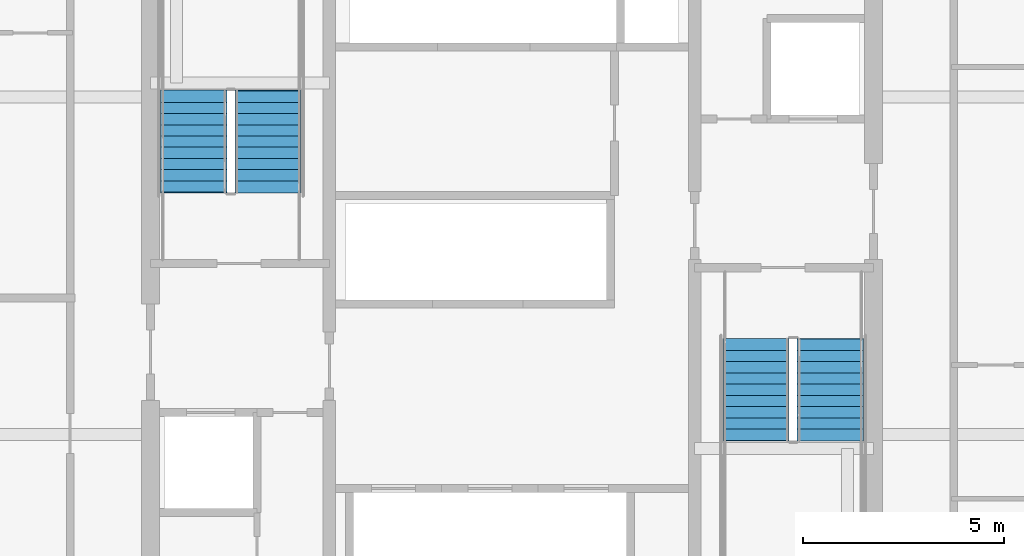
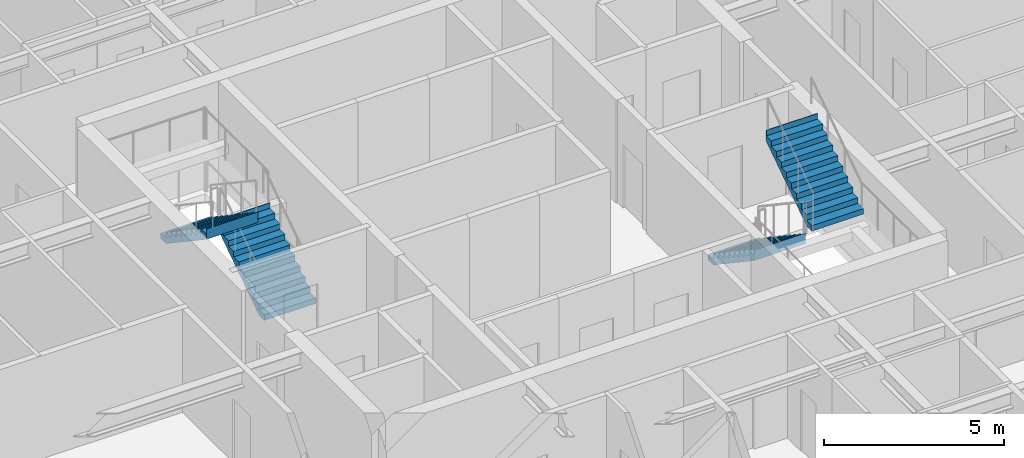
# One storey, part 30 of 36: 4 stair flights, 2 elements without a shape of their own.
"""IFC4 building model written with IfcOpenShell, lengths in metres."""

from ifc_helpers import new_model, si_unit, direction, frame, origin, place, context, subcontext, project, spatial, polygons, material, type_object, element, aggregate, save


model = new_model("IFC4")

# Units and contexts
model_context = context("Model", 3, precision=1e-05, world=origin(), true_north=direction((0.0, 1.0)))
body_context = subcontext(model_context, "Body", "Model", "MODEL_VIEW")
ifc_project = project(units=[si_unit("LENGTHUNIT", "METRE"), si_unit("AREAUNIT", "SQUARE_METRE"), si_unit("VOLUMEUNIT", "CUBIC_METRE"), si_unit("PLANEANGLEUNIT", "RADIAN"), si_unit("MASSUNIT", "GRAM", prefix="KILO")], contexts=[model_context])

# Site, building, storey
site_placement = place(None, origin())
site = spatial("IfcSite", under=ifc_project, at=site_placement, CompositionType="ELEMENT")
building_placement = place(site_placement, origin())
building = spatial("IfcBuilding", under=site, at=building_placement, Name="Serunith Strait Residences", CompositionType="ELEMENT")
storey_placement = place(building_placement, frame((0.0, 0.0, 86.699951171875)))
storey = spatial("IfcBuildingStorey", under=building, at=storey_placement, Name="L21", CompositionType="ELEMENT", Elevation=86.699951171875)

# Stair, stair flights
ifc_material = material(Name="Concrete C50/60", Category="concrete")
stair_type_1 = type_object("IfcStairType", Name="STR-CORE-1", PredefinedType="HALF_TURN_STAIR", material=ifc_material)
stair_1_placement = place(storey_placement, origin())
stair_1 = element("IfcStair", 1, at=stair_1_placement, inside=storey, type_object=stair_type_1, Name="L21 Protected Escape Stair ST-1", PredefinedType="HALF_TURN_STAIR")
stair_flight_type_1 = type_object("IfcStairFlightType", Name="FLT-CORE-1", PredefinedType="STRAIGHT", material=ifc_material)
stair_flight_1_placement = place(storey_placement, frame((26.324951171875, 27.030029296875, 0.0), z_axis=(0.0, 0.0, 1.0), x_axis=(0.0, 1.0, 0.0)))
stair_flight_1 = element("IfcStairFlight", 2, at=stair_flight_1_placement, type_object=stair_flight_type_1, Name="ST-1 flight 1", NumberOfRisers=10, NumberOfTreads=9, PredefinedType="STRAIGHT", RiserHeight=0.1875, TreadLength=0.28, context=body_context, shape_type="Tessellation", body=[
    polygons([(-0.02001953125, -0.824951171875, 0.0), (-0.02001953125, -0.824951171875, 0.1875), (0.280029296875, -0.824951171875, 0.1875), (0.280029296875, -0.824951171875, 0.375), (0.56005859375, -0.824951171875, 0.375), (0.56005859375, -0.824951171875, 0.5625), (0.840087890625, -0.824951171875, 0.5625), (0.840087890625, -0.824951171875, 0.75), (1.1201171875, -0.824951171875, 0.75), (1.1201171875, -0.824951171875, 0.9375), (1.39990234375, -0.824951171875, 0.9375), (1.39990234375, -0.824951171875, 1.125), (1.679931640625, -0.824951171875, 1.125), (1.679931640625, -0.824951171875, 1.3125), (1.9599609375, -0.824951171875, 1.3125), (1.9599609375, -0.824951171875, 1.5), (2.239990234375, -0.824951171875, 1.5), (2.239990234375, -0.824951171875, 1.6875), (2.52001953125, -0.824951171875, 1.6875), (2.52001953125, -0.824951171875, 1.875), (2.5400390625, -0.824951171875, 1.875), (2.5400390625, -0.824951171875, 1.81494140625), (2.52001953125, -0.824951171875, 1.507080078125), (0.26953125, -0.824951171875, 0.0), (-0.02001953125, -0.41259765625, 0.0), (-0.02001953125, -0.41259765625, 0.1875), (0.280029296875, -0.41259765625, 0.1875), (0.280029296875, -0.41259765625, 0.375), (0.56005859375, -0.41259765625, 0.375), (0.56005859375, -0.41259765625, 0.5625), (0.840087890625, -0.41259765625, 0.5625), (0.840087890625, -0.41259765625, 0.75), (1.1201171875, -0.41259765625, 0.75), (1.1201171875, -0.41259765625, 0.9375), (1.39990234375, -0.41259765625, 0.9375), (1.39990234375, -0.41259765625, 1.125), (1.679931640625, -0.41259765625, 1.125), (1.679931640625, -0.41259765625, 1.3125), (1.9599609375, -0.41259765625, 1.3125), (1.9599609375, -0.41259765625, 1.5), (2.239990234375, -0.41259765625, 1.5), (2.239990234375, -0.41259765625, 1.6875), (2.52001953125, -0.41259765625, 1.6875), (2.52001953125, -0.41259765625, 1.875), (2.5400390625, -0.41259765625, 1.875), (2.5400390625, -0.41259765625, 1.81494140625), (2.52001953125, -0.41259765625, 1.507080078125), (0.26953125, -0.41259765625, 0.0), (-0.02001953125, 0.0, 0.0), (-0.02001953125, 0.0, 0.1875), (0.280029296875, 0.0, 0.1875), (0.280029296875, 0.0, 0.375), (0.56005859375, 0.0, 0.375), (0.56005859375, 0.0, 0.5625), (0.840087890625, 0.0, 0.5625), (0.840087890625, 0.0, 0.75), (1.1201171875, 0.0, 0.75), (1.1201171875, 0.0, 0.9375), (1.39990234375, 0.0, 0.9375), (1.39990234375, 0.0, 1.125), (1.679931640625, 0.0, 1.125), (1.679931640625, 0.0, 1.3125), (1.9599609375, 0.0, 1.3125), (1.9599609375, 0.0, 1.5), (2.239990234375, 0.0, 1.5), (2.239990234375, 0.0, 1.6875), (2.52001953125, 0.0, 1.6875), (2.52001953125, 0.0, 1.875), (2.5400390625, 0.0, 1.875), (2.5400390625, 0.0, 1.81494140625), (2.52001953125, 0.0, 1.507080078125), (0.26953125, 0.0, 0.0), (-0.02001953125, 0.41259765625, 0.0), (-0.02001953125, 0.41259765625, 0.1875), (0.280029296875, 0.41259765625, 0.1875), (0.280029296875, 0.41259765625, 0.375), (0.56005859375, 0.41259765625, 0.375), (0.56005859375, 0.41259765625, 0.5625), (0.840087890625, 0.41259765625, 0.5625), (0.840087890625, 0.41259765625, 0.75), (1.1201171875, 0.41259765625, 0.75), (1.1201171875, 0.41259765625, 0.9375), (1.39990234375, 0.41259765625, 0.9375), (1.39990234375, 0.41259765625, 1.125), (1.679931640625, 0.41259765625, 1.125), (1.679931640625, 0.41259765625, 1.3125), (1.9599609375, 0.41259765625, 1.3125), (1.9599609375, 0.41259765625, 1.5), (2.239990234375, 0.41259765625, 1.5), (2.239990234375, 0.41259765625, 1.6875), (2.52001953125, 0.41259765625, 1.6875), (2.52001953125, 0.41259765625, 1.875), (2.5400390625, 0.41259765625, 1.875), (2.5400390625, 0.41259765625, 1.81494140625), (2.52001953125, 0.41259765625, 1.507080078125), (0.26953125, 0.41259765625, 0.0), (-0.02001953125, 0.824951171875, 0.0), (-0.02001953125, 0.824951171875, 0.1875), (0.280029296875, 0.824951171875, 0.1875), (0.280029296875, 0.824951171875, 0.375), (0.56005859375, 0.824951171875, 0.375), (0.56005859375, 0.824951171875, 0.5625), (0.840087890625, 0.824951171875, 0.5625), (0.840087890625, 0.824951171875, 0.75), (1.1201171875, 0.824951171875, 0.75), (1.1201171875, 0.824951171875, 0.9375), (1.39990234375, 0.824951171875, 0.9375), (1.39990234375, 0.824951171875, 1.125), (1.679931640625, 0.824951171875, 1.125), (1.679931640625, 0.824951171875, 1.3125), (1.9599609375, 0.824951171875, 1.3125), (1.9599609375, 0.824951171875, 1.5), (2.239990234375, 0.824951171875, 1.5), (2.239990234375, 0.824951171875, 1.6875), (2.52001953125, 0.824951171875, 1.6875), (2.52001953125, 0.824951171875, 1.875), (2.5400390625, 0.824951171875, 1.875), (2.5400390625, 0.824951171875, 1.81494140625), (2.52001953125, 0.824951171875, 1.507080078125), (0.26953125, 0.824951171875, 0.0)], [[[1, 2, 26, 25]], [[2, 3, 27, 26]], [[3, 4, 28, 27]], [[4, 5, 29, 28]], [[5, 6, 30, 29]], [[6, 7, 31, 30]], [[7, 8, 32, 31]], [[8, 9, 33, 32]], [[9, 10, 34, 33]], [[10, 11, 35, 34]], [[11, 12, 36, 35]], [[12, 13, 37, 36]], [[13, 14, 38, 37]], [[14, 15, 39, 38]], [[15, 16, 40, 39]], [[16, 17, 41, 40]], [[17, 18, 42, 41]], [[18, 19, 43, 42]], [[19, 20, 44, 43]], [[20, 21, 45, 44]], [[21, 22, 46, 45]], [[22, 23, 47, 46]], [[23, 24, 48, 47]], [[24, 1, 25, 48]], [[25, 26, 50, 49]], [[26, 27, 51, 50]], [[27, 28, 52, 51]], [[28, 29, 53, 52]], [[29, 30, 54, 53]], [[30, 31, 55, 54]], [[31, 32, 56, 55]], [[32, 33, 57, 56]], [[33, 34, 58, 57]], [[34, 35, 59, 58]], [[35, 36, 60, 59]], [[36, 37, 61, 60]], [[37, 38, 62, 61]], [[38, 39, 63, 62]], [[39, 40, 64, 63]], [[40, 41, 65, 64]], [[41, 42, 66, 65]], [[42, 43, 67, 66]], [[43, 44, 68, 67]], [[44, 45, 69, 68]], [[45, 46, 70, 69]], [[46, 47, 71, 70]], [[47, 48, 72, 71]], [[48, 25, 49, 72]], [[49, 50, 74, 73]], [[50, 51, 75, 74]], [[51, 52, 76, 75]], [[52, 53, 77, 76]], [[53, 54, 78, 77]], [[54, 55, 79, 78]], [[55, 56, 80, 79]], [[56, 57, 81, 80]], [[57, 58, 82, 81]], [[58, 59, 83, 82]], [[59, 60, 84, 83]], [[60, 61, 85, 84]], [[61, 62, 86, 85]], [[62, 63, 87, 86]], [[63, 64, 88, 87]], [[64, 65, 89, 88]], [[65, 66, 90, 89]], [[66, 67, 91, 90]], [[67, 68, 92, 91]], [[68, 69, 93, 92]], [[69, 70, 94, 93]], [[70, 71, 95, 94]], [[71, 72, 96, 95]], [[72, 49, 73, 96]], [[73, 74, 98, 97]], [[74, 75, 99, 98]], [[75, 76, 100, 99]], [[76, 77, 101, 100]], [[77, 78, 102, 101]], [[78, 79, 103, 102]], [[79, 80, 104, 103]], [[80, 81, 105, 104]], [[81, 82, 106, 105]], [[82, 83, 107, 106]], [[83, 84, 108, 107]], [[84, 85, 109, 108]], [[85, 86, 110, 109]], [[86, 87, 111, 110]], [[87, 88, 112, 111]], [[88, 89, 113, 112]], [[89, 90, 114, 113]], [[90, 91, 115, 114]], [[91, 92, 116, 115]], [[92, 93, 117, 116]], [[93, 94, 118, 117]], [[94, 95, 119, 118]], [[95, 96, 120, 119]], [[96, 73, 97, 120]], [[24, 23, 22, 21, 20, 19, 18, 17, 16, 15, 14, 13, 12, 11, 10, 9, 8, 7, 6, 5, 4, 3, 2, 1]], [[97, 98, 99, 100, 101, 102, 103, 104, 105, 106, 107, 108, 109, 110, 111, 112, 113, 114, 115, 116, 117, 118, 119, 120]]], closed=True),
])
stair_flight_2_placement = place(storey_placement, frame((24.47509765625, 29.550048828125, 1.875), z_axis=(0.0, 0.0, 1.0), x_axis=(0.0, -1.0, 0.0)))
stair_flight_2 = element("IfcStairFlight", 3, at=stair_flight_2_placement, type_object=stair_flight_type_1, Name="ST-1 flight 2", NumberOfRisers=10, NumberOfTreads=9, PredefinedType="STRAIGHT", RiserHeight=0.1875, TreadLength=0.28, context=body_context, shape_type="Tessellation", body=[
    polygons([(-0.02001953125, -0.824951171875, 0.0), (-0.02001953125, -0.824951171875, 0.1875), (0.280029296875, -0.824951171875, 0.1875), (0.280029296875, -0.824951171875, 0.375), (0.56005859375, -0.824951171875, 0.375), (0.56005859375, -0.824951171875, 0.5625), (0.840087890625, -0.824951171875, 0.5625), (0.840087890625, -0.824951171875, 0.75), (1.1201171875, -0.824951171875, 0.75), (1.1201171875, -0.824951171875, 0.9375), (1.39990234375, -0.824951171875, 0.9375), (1.39990234375, -0.824951171875, 1.125), (1.679931640625, -0.824951171875, 1.125), (1.679931640625, -0.824951171875, 1.3125), (1.9599609375, -0.824951171875, 1.3125), (1.9599609375, -0.824951171875, 1.5), (2.239990234375, -0.824951171875, 1.5), (2.239990234375, -0.824951171875, 1.6875), (2.52001953125, -0.824951171875, 1.6875), (2.52001953125, -0.824951171875, 1.875), (2.5400390625, -0.824951171875, 1.875), (2.5400390625, -0.824951171875, 1.81494140625), (2.52001953125, -0.824951171875, 1.507080078125), (0.26953125, -0.824951171875, 0.0), (-0.02001953125, -0.41259765625, 0.0), (-0.02001953125, -0.41259765625, 0.1875), (0.280029296875, -0.41259765625, 0.1875), (0.280029296875, -0.41259765625, 0.375), (0.56005859375, -0.41259765625, 0.375), (0.56005859375, -0.41259765625, 0.5625), (0.840087890625, -0.41259765625, 0.5625), (0.840087890625, -0.41259765625, 0.75), (1.1201171875, -0.41259765625, 0.75), (1.1201171875, -0.41259765625, 0.9375), (1.39990234375, -0.41259765625, 0.9375), (1.39990234375, -0.41259765625, 1.125), (1.679931640625, -0.41259765625, 1.125), (1.679931640625, -0.41259765625, 1.3125), (1.9599609375, -0.41259765625, 1.3125), (1.9599609375, -0.41259765625, 1.5), (2.239990234375, -0.41259765625, 1.5), (2.239990234375, -0.41259765625, 1.6875), (2.52001953125, -0.41259765625, 1.6875), (2.52001953125, -0.41259765625, 1.875), (2.5400390625, -0.41259765625, 1.875), (2.5400390625, -0.41259765625, 1.81494140625), (2.52001953125, -0.41259765625, 1.507080078125), (0.26953125, -0.41259765625, 0.0), (-0.02001953125, 0.0, 0.0), (-0.02001953125, 0.0, 0.1875), (0.280029296875, 0.0, 0.1875), (0.280029296875, 0.0, 0.375), (0.56005859375, 0.0, 0.375), (0.56005859375, 0.0, 0.5625), (0.840087890625, 0.0, 0.5625), (0.840087890625, 0.0, 0.75), (1.1201171875, 0.0, 0.75), (1.1201171875, 0.0, 0.9375), (1.39990234375, 0.0, 0.9375), (1.39990234375, 0.0, 1.125), (1.679931640625, 0.0, 1.125), (1.679931640625, 0.0, 1.3125), (1.9599609375, 0.0, 1.3125), (1.9599609375, 0.0, 1.5), (2.239990234375, 0.0, 1.5), (2.239990234375, 0.0, 1.6875), (2.52001953125, 0.0, 1.6875), (2.52001953125, 0.0, 1.875), (2.5400390625, 0.0, 1.875), (2.5400390625, 0.0, 1.81494140625), (2.52001953125, 0.0, 1.507080078125), (0.26953125, 0.0, 0.0), (-0.02001953125, 0.41259765625, 0.0), (-0.02001953125, 0.41259765625, 0.1875), (0.280029296875, 0.41259765625, 0.1875), (0.280029296875, 0.41259765625, 0.375), (0.56005859375, 0.41259765625, 0.375), (0.56005859375, 0.41259765625, 0.5625), (0.840087890625, 0.41259765625, 0.5625), (0.840087890625, 0.41259765625, 0.75), (1.1201171875, 0.41259765625, 0.75), (1.1201171875, 0.41259765625, 0.9375), (1.39990234375, 0.41259765625, 0.9375), (1.39990234375, 0.41259765625, 1.125), (1.679931640625, 0.41259765625, 1.125), (1.679931640625, 0.41259765625, 1.3125), (1.9599609375, 0.41259765625, 1.3125), (1.9599609375, 0.41259765625, 1.5), (2.239990234375, 0.41259765625, 1.5), (2.239990234375, 0.41259765625, 1.6875), (2.52001953125, 0.41259765625, 1.6875), (2.52001953125, 0.41259765625, 1.875), (2.5400390625, 0.41259765625, 1.875), (2.5400390625, 0.41259765625, 1.81494140625), (2.52001953125, 0.41259765625, 1.507080078125), (0.26953125, 0.41259765625, 0.0), (-0.02001953125, 0.824951171875, 0.0), (-0.02001953125, 0.824951171875, 0.1875), (0.280029296875, 0.824951171875, 0.1875), (0.280029296875, 0.824951171875, 0.375), (0.56005859375, 0.824951171875, 0.375), (0.56005859375, 0.824951171875, 0.5625), (0.840087890625, 0.824951171875, 0.5625), (0.840087890625, 0.824951171875, 0.75), (1.1201171875, 0.824951171875, 0.75), (1.1201171875, 0.824951171875, 0.9375), (1.39990234375, 0.824951171875, 0.9375), (1.39990234375, 0.824951171875, 1.125), (1.679931640625, 0.824951171875, 1.125), (1.679931640625, 0.824951171875, 1.3125), (1.9599609375, 0.824951171875, 1.3125), (1.9599609375, 0.824951171875, 1.5), (2.239990234375, 0.824951171875, 1.5), (2.239990234375, 0.824951171875, 1.6875), (2.52001953125, 0.824951171875, 1.6875), (2.52001953125, 0.824951171875, 1.875), (2.5400390625, 0.824951171875, 1.875), (2.5400390625, 0.824951171875, 1.81494140625), (2.52001953125, 0.824951171875, 1.507080078125), (0.26953125, 0.824951171875, 0.0)], [[[1, 2, 26, 25]], [[2, 3, 27, 26]], [[3, 4, 28, 27]], [[4, 5, 29, 28]], [[5, 6, 30, 29]], [[6, 7, 31, 30]], [[7, 8, 32, 31]], [[8, 9, 33, 32]], [[9, 10, 34, 33]], [[10, 11, 35, 34]], [[11, 12, 36, 35]], [[12, 13, 37, 36]], [[13, 14, 38, 37]], [[14, 15, 39, 38]], [[15, 16, 40, 39]], [[16, 17, 41, 40]], [[17, 18, 42, 41]], [[18, 19, 43, 42]], [[19, 20, 44, 43]], [[20, 21, 45, 44]], [[21, 22, 46, 45]], [[22, 23, 47, 46]], [[23, 24, 48, 47]], [[24, 1, 25, 48]], [[25, 26, 50, 49]], [[26, 27, 51, 50]], [[27, 28, 52, 51]], [[28, 29, 53, 52]], [[29, 30, 54, 53]], [[30, 31, 55, 54]], [[31, 32, 56, 55]], [[32, 33, 57, 56]], [[33, 34, 58, 57]], [[34, 35, 59, 58]], [[35, 36, 60, 59]], [[36, 37, 61, 60]], [[37, 38, 62, 61]], [[38, 39, 63, 62]], [[39, 40, 64, 63]], [[40, 41, 65, 64]], [[41, 42, 66, 65]], [[42, 43, 67, 66]], [[43, 44, 68, 67]], [[44, 45, 69, 68]], [[45, 46, 70, 69]], [[46, 47, 71, 70]], [[47, 48, 72, 71]], [[48, 25, 49, 72]], [[49, 50, 74, 73]], [[50, 51, 75, 74]], [[51, 52, 76, 75]], [[52, 53, 77, 76]], [[53, 54, 78, 77]], [[54, 55, 79, 78]], [[55, 56, 80, 79]], [[56, 57, 81, 80]], [[57, 58, 82, 81]], [[58, 59, 83, 82]], [[59, 60, 84, 83]], [[60, 61, 85, 84]], [[61, 62, 86, 85]], [[62, 63, 87, 86]], [[63, 64, 88, 87]], [[64, 65, 89, 88]], [[65, 66, 90, 89]], [[66, 67, 91, 90]], [[67, 68, 92, 91]], [[68, 69, 93, 92]], [[69, 70, 94, 93]], [[70, 71, 95, 94]], [[71, 72, 96, 95]], [[72, 49, 73, 96]], [[73, 74, 98, 97]], [[74, 75, 99, 98]], [[75, 76, 100, 99]], [[76, 77, 101, 100]], [[77, 78, 102, 101]], [[78, 79, 103, 102]], [[79, 80, 104, 103]], [[80, 81, 105, 104]], [[81, 82, 106, 105]], [[82, 83, 107, 106]], [[83, 84, 108, 107]], [[84, 85, 109, 108]], [[85, 86, 110, 109]], [[86, 87, 111, 110]], [[87, 88, 112, 111]], [[88, 89, 113, 112]], [[89, 90, 114, 113]], [[90, 91, 115, 114]], [[91, 92, 116, 115]], [[92, 93, 117, 116]], [[93, 94, 118, 117]], [[94, 95, 119, 118]], [[95, 96, 120, 119]], [[96, 73, 97, 120]], [[24, 23, 22, 21, 20, 19, 18, 17, 16, 15, 14, 13, 12, 11, 10, 9, 8, 7, 6, 5, 4, 3, 2, 1]], [[97, 98, 99, 100, 101, 102, 103, 104, 105, 106, 107, 108, 109, 110, 111, 112, 113, 114, 115, 116, 117, 118, 119, 120]]], closed=True),
])
aggregate(stair_1, [stair_flight_1, stair_flight_2])

stair_type_2 = type_object("IfcStairType", Name="STR-CORE-2", PredefinedType="HALF_TURN_STAIR", material=ifc_material)
stair_2_placement = place(storey_placement, origin())
stair_2 = element("IfcStair", 4, at=stair_2_placement, inside=storey, type_object=stair_type_2, Name="L21 Protected Escape Stair ST-2", PredefinedType="HALF_TURN_STAIR")
stair_flight_type_2 = type_object("IfcStairFlightType", Name="FLT-CORE-2", PredefinedType="STRAIGHT", material=ifc_material)
stair_flight_3_placement = place(storey_placement, frame((38.47509765625, 23.3701171875, 0.0), z_axis=(0.0, 0.0, 1.0), x_axis=(0.0, -1.0, 0.0)))
stair_flight_3 = element("IfcStairFlight", 5, at=stair_flight_3_placement, type_object=stair_flight_type_2, Name="ST-2 flight 1", NumberOfRisers=10, NumberOfTreads=9, PredefinedType="STRAIGHT", RiserHeight=0.1875, TreadLength=0.28, context=body_context, shape_type="Tessellation", body=[
    polygons([(-0.02001953125, -0.824951171875, 0.0), (-0.02001953125, -0.824951171875, 0.1875), (0.280029296875, -0.824951171875, 0.1875), (0.280029296875, -0.824951171875, 0.375), (0.56005859375, -0.824951171875, 0.375), (0.56005859375, -0.824951171875, 0.5625), (0.840087890625, -0.824951171875, 0.5625), (0.840087890625, -0.824951171875, 0.75), (1.1201171875, -0.824951171875, 0.75), (1.1201171875, -0.824951171875, 0.9375), (1.39990234375, -0.824951171875, 0.9375), (1.39990234375, -0.824951171875, 1.125), (1.679931640625, -0.824951171875, 1.125), (1.679931640625, -0.824951171875, 1.3125), (1.9599609375, -0.824951171875, 1.3125), (1.9599609375, -0.824951171875, 1.5), (2.239990234375, -0.824951171875, 1.5), (2.239990234375, -0.824951171875, 1.6875), (2.52001953125, -0.824951171875, 1.6875), (2.52001953125, -0.824951171875, 1.875), (2.5400390625, -0.824951171875, 1.875), (2.5400390625, -0.824951171875, 1.81494140625), (2.52001953125, -0.824951171875, 1.507080078125), (0.26953125, -0.824951171875, 0.0), (-0.02001953125, -0.41259765625, 0.0), (-0.02001953125, -0.41259765625, 0.1875), (0.280029296875, -0.41259765625, 0.1875), (0.280029296875, -0.41259765625, 0.375), (0.56005859375, -0.41259765625, 0.375), (0.56005859375, -0.41259765625, 0.5625), (0.840087890625, -0.41259765625, 0.5625), (0.840087890625, -0.41259765625, 0.75), (1.1201171875, -0.41259765625, 0.75), (1.1201171875, -0.41259765625, 0.9375), (1.39990234375, -0.41259765625, 0.9375), (1.39990234375, -0.41259765625, 1.125), (1.679931640625, -0.41259765625, 1.125), (1.679931640625, -0.41259765625, 1.3125), (1.9599609375, -0.41259765625, 1.3125), (1.9599609375, -0.41259765625, 1.5), (2.239990234375, -0.41259765625, 1.5), (2.239990234375, -0.41259765625, 1.6875), (2.52001953125, -0.41259765625, 1.6875), (2.52001953125, -0.41259765625, 1.875), (2.5400390625, -0.41259765625, 1.875), (2.5400390625, -0.41259765625, 1.81494140625), (2.52001953125, -0.41259765625, 1.507080078125), (0.26953125, -0.41259765625, 0.0), (-0.02001953125, 0.0, 0.0), (-0.02001953125, 0.0, 0.1875), (0.280029296875, 0.0, 0.1875), (0.280029296875, 0.0, 0.375), (0.56005859375, 0.0, 0.375), (0.56005859375, 0.0, 0.5625), (0.840087890625, 0.0, 0.5625), (0.840087890625, 0.0, 0.75), (1.1201171875, 0.0, 0.75), (1.1201171875, 0.0, 0.9375), (1.39990234375, 0.0, 0.9375), (1.39990234375, 0.0, 1.125), (1.679931640625, 0.0, 1.125), (1.679931640625, 0.0, 1.3125), (1.9599609375, 0.0, 1.3125), (1.9599609375, 0.0, 1.5), (2.239990234375, 0.0, 1.5), (2.239990234375, 0.0, 1.6875), (2.52001953125, 0.0, 1.6875), (2.52001953125, 0.0, 1.875), (2.5400390625, 0.0, 1.875), (2.5400390625, 0.0, 1.81494140625), (2.52001953125, 0.0, 1.507080078125), (0.26953125, 0.0, 0.0), (-0.02001953125, 0.41259765625, 0.0), (-0.02001953125, 0.41259765625, 0.1875), (0.280029296875, 0.41259765625, 0.1875), (0.280029296875, 0.41259765625, 0.375), (0.56005859375, 0.41259765625, 0.375), (0.56005859375, 0.41259765625, 0.5625), (0.840087890625, 0.41259765625, 0.5625), (0.840087890625, 0.41259765625, 0.75), (1.1201171875, 0.41259765625, 0.75), (1.1201171875, 0.41259765625, 0.9375), (1.39990234375, 0.41259765625, 0.9375), (1.39990234375, 0.41259765625, 1.125), (1.679931640625, 0.41259765625, 1.125), (1.679931640625, 0.41259765625, 1.3125), (1.9599609375, 0.41259765625, 1.3125), (1.9599609375, 0.41259765625, 1.5), (2.239990234375, 0.41259765625, 1.5), (2.239990234375, 0.41259765625, 1.6875), (2.52001953125, 0.41259765625, 1.6875), (2.52001953125, 0.41259765625, 1.875), (2.5400390625, 0.41259765625, 1.875), (2.5400390625, 0.41259765625, 1.81494140625), (2.52001953125, 0.41259765625, 1.507080078125), (0.26953125, 0.41259765625, 0.0), (-0.02001953125, 0.824951171875, 0.0), (-0.02001953125, 0.824951171875, 0.1875), (0.280029296875, 0.824951171875, 0.1875), (0.280029296875, 0.824951171875, 0.375), (0.56005859375, 0.824951171875, 0.375), (0.56005859375, 0.824951171875, 0.5625), (0.840087890625, 0.824951171875, 0.5625), (0.840087890625, 0.824951171875, 0.75), (1.1201171875, 0.824951171875, 0.75), (1.1201171875, 0.824951171875, 0.9375), (1.39990234375, 0.824951171875, 0.9375), (1.39990234375, 0.824951171875, 1.125), (1.679931640625, 0.824951171875, 1.125), (1.679931640625, 0.824951171875, 1.3125), (1.9599609375, 0.824951171875, 1.3125), (1.9599609375, 0.824951171875, 1.5), (2.239990234375, 0.824951171875, 1.5), (2.239990234375, 0.824951171875, 1.6875), (2.52001953125, 0.824951171875, 1.6875), (2.52001953125, 0.824951171875, 1.875), (2.5400390625, 0.824951171875, 1.875), (2.5400390625, 0.824951171875, 1.81494140625), (2.52001953125, 0.824951171875, 1.507080078125), (0.26953125, 0.824951171875, 0.0)], [[[1, 2, 26, 25]], [[2, 3, 27, 26]], [[3, 4, 28, 27]], [[4, 5, 29, 28]], [[5, 6, 30, 29]], [[6, 7, 31, 30]], [[7, 8, 32, 31]], [[8, 9, 33, 32]], [[9, 10, 34, 33]], [[10, 11, 35, 34]], [[11, 12, 36, 35]], [[12, 13, 37, 36]], [[13, 14, 38, 37]], [[14, 15, 39, 38]], [[15, 16, 40, 39]], [[16, 17, 41, 40]], [[17, 18, 42, 41]], [[18, 19, 43, 42]], [[19, 20, 44, 43]], [[20, 21, 45, 44]], [[21, 22, 46, 45]], [[22, 23, 47, 46]], [[23, 24, 48, 47]], [[24, 1, 25, 48]], [[25, 26, 50, 49]], [[26, 27, 51, 50]], [[27, 28, 52, 51]], [[28, 29, 53, 52]], [[29, 30, 54, 53]], [[30, 31, 55, 54]], [[31, 32, 56, 55]], [[32, 33, 57, 56]], [[33, 34, 58, 57]], [[34, 35, 59, 58]], [[35, 36, 60, 59]], [[36, 37, 61, 60]], [[37, 38, 62, 61]], [[38, 39, 63, 62]], [[39, 40, 64, 63]], [[40, 41, 65, 64]], [[41, 42, 66, 65]], [[42, 43, 67, 66]], [[43, 44, 68, 67]], [[44, 45, 69, 68]], [[45, 46, 70, 69]], [[46, 47, 71, 70]], [[47, 48, 72, 71]], [[48, 25, 49, 72]], [[49, 50, 74, 73]], [[50, 51, 75, 74]], [[51, 52, 76, 75]], [[52, 53, 77, 76]], [[53, 54, 78, 77]], [[54, 55, 79, 78]], [[55, 56, 80, 79]], [[56, 57, 81, 80]], [[57, 58, 82, 81]], [[58, 59, 83, 82]], [[59, 60, 84, 83]], [[60, 61, 85, 84]], [[61, 62, 86, 85]], [[62, 63, 87, 86]], [[63, 64, 88, 87]], [[64, 65, 89, 88]], [[65, 66, 90, 89]], [[66, 67, 91, 90]], [[67, 68, 92, 91]], [[68, 69, 93, 92]], [[69, 70, 94, 93]], [[70, 71, 95, 94]], [[71, 72, 96, 95]], [[72, 49, 73, 96]], [[73, 74, 98, 97]], [[74, 75, 99, 98]], [[75, 76, 100, 99]], [[76, 77, 101, 100]], [[77, 78, 102, 101]], [[78, 79, 103, 102]], [[79, 80, 104, 103]], [[80, 81, 105, 104]], [[81, 82, 106, 105]], [[82, 83, 107, 106]], [[83, 84, 108, 107]], [[84, 85, 109, 108]], [[85, 86, 110, 109]], [[86, 87, 111, 110]], [[87, 88, 112, 111]], [[88, 89, 113, 112]], [[89, 90, 114, 113]], [[90, 91, 115, 114]], [[91, 92, 116, 115]], [[92, 93, 117, 116]], [[93, 94, 118, 117]], [[94, 95, 119, 118]], [[95, 96, 120, 119]], [[96, 73, 97, 120]], [[24, 23, 22, 21, 20, 19, 18, 17, 16, 15, 14, 13, 12, 11, 10, 9, 8, 7, 6, 5, 4, 3, 2, 1]], [[97, 98, 99, 100, 101, 102, 103, 104, 105, 106, 107, 108, 109, 110, 111, 112, 113, 114, 115, 116, 117, 118, 119, 120]]], closed=True),
])
stair_flight_4_placement = place(storey_placement, frame((40.324951171875, 20.85009765625, 1.875), z_axis=(0.0, 0.0, 1.0), x_axis=(0.0, 1.0, 0.0)))
stair_flight_4 = element("IfcStairFlight", 6, at=stair_flight_4_placement, type_object=stair_flight_type_2, Name="ST-2 flight 2", NumberOfRisers=10, NumberOfTreads=9, PredefinedType="STRAIGHT", RiserHeight=0.1875, TreadLength=0.28, context=body_context, shape_type="Tessellation", body=[
    polygons([(-0.02001953125, -0.824951171875, 0.0), (-0.02001953125, -0.824951171875, 0.1875), (0.280029296875, -0.824951171875, 0.1875), (0.280029296875, -0.824951171875, 0.375), (0.56005859375, -0.824951171875, 0.375), (0.56005859375, -0.824951171875, 0.5625), (0.840087890625, -0.824951171875, 0.5625), (0.840087890625, -0.824951171875, 0.75), (1.1201171875, -0.824951171875, 0.75), (1.1201171875, -0.824951171875, 0.9375), (1.39990234375, -0.824951171875, 0.9375), (1.39990234375, -0.824951171875, 1.125), (1.679931640625, -0.824951171875, 1.125), (1.679931640625, -0.824951171875, 1.3125), (1.9599609375, -0.824951171875, 1.3125), (1.9599609375, -0.824951171875, 1.5), (2.239990234375, -0.824951171875, 1.5), (2.239990234375, -0.824951171875, 1.6875), (2.52001953125, -0.824951171875, 1.6875), (2.52001953125, -0.824951171875, 1.875), (2.5400390625, -0.824951171875, 1.875), (2.5400390625, -0.824951171875, 1.81494140625), (2.52001953125, -0.824951171875, 1.507080078125), (0.26953125, -0.824951171875, 0.0), (-0.02001953125, -0.41259765625, 0.0), (-0.02001953125, -0.41259765625, 0.1875), (0.280029296875, -0.41259765625, 0.1875), (0.280029296875, -0.41259765625, 0.375), (0.56005859375, -0.41259765625, 0.375), (0.56005859375, -0.41259765625, 0.5625), (0.840087890625, -0.41259765625, 0.5625), (0.840087890625, -0.41259765625, 0.75), (1.1201171875, -0.41259765625, 0.75), (1.1201171875, -0.41259765625, 0.9375), (1.39990234375, -0.41259765625, 0.9375), (1.39990234375, -0.41259765625, 1.125), (1.679931640625, -0.41259765625, 1.125), (1.679931640625, -0.41259765625, 1.3125), (1.9599609375, -0.41259765625, 1.3125), (1.9599609375, -0.41259765625, 1.5), (2.239990234375, -0.41259765625, 1.5), (2.239990234375, -0.41259765625, 1.6875), (2.52001953125, -0.41259765625, 1.6875), (2.52001953125, -0.41259765625, 1.875), (2.5400390625, -0.41259765625, 1.875), (2.5400390625, -0.41259765625, 1.81494140625), (2.52001953125, -0.41259765625, 1.507080078125), (0.26953125, -0.41259765625, 0.0), (-0.02001953125, 0.0, 0.0), (-0.02001953125, 0.0, 0.1875), (0.280029296875, 0.0, 0.1875), (0.280029296875, 0.0, 0.375), (0.56005859375, 0.0, 0.375), (0.56005859375, 0.0, 0.5625), (0.840087890625, 0.0, 0.5625), (0.840087890625, 0.0, 0.75), (1.1201171875, 0.0, 0.75), (1.1201171875, 0.0, 0.9375), (1.39990234375, 0.0, 0.9375), (1.39990234375, 0.0, 1.125), (1.679931640625, 0.0, 1.125), (1.679931640625, 0.0, 1.3125), (1.9599609375, 0.0, 1.3125), (1.9599609375, 0.0, 1.5), (2.239990234375, 0.0, 1.5), (2.239990234375, 0.0, 1.6875), (2.52001953125, 0.0, 1.6875), (2.52001953125, 0.0, 1.875), (2.5400390625, 0.0, 1.875), (2.5400390625, 0.0, 1.81494140625), (2.52001953125, 0.0, 1.507080078125), (0.26953125, 0.0, 0.0), (-0.02001953125, 0.41259765625, 0.0), (-0.02001953125, 0.41259765625, 0.1875), (0.280029296875, 0.41259765625, 0.1875), (0.280029296875, 0.41259765625, 0.375), (0.56005859375, 0.41259765625, 0.375), (0.56005859375, 0.41259765625, 0.5625), (0.840087890625, 0.41259765625, 0.5625), (0.840087890625, 0.41259765625, 0.75), (1.1201171875, 0.41259765625, 0.75), (1.1201171875, 0.41259765625, 0.9375), (1.39990234375, 0.41259765625, 0.9375), (1.39990234375, 0.41259765625, 1.125), (1.679931640625, 0.41259765625, 1.125), (1.679931640625, 0.41259765625, 1.3125), (1.9599609375, 0.41259765625, 1.3125), (1.9599609375, 0.41259765625, 1.5), (2.239990234375, 0.41259765625, 1.5), (2.239990234375, 0.41259765625, 1.6875), (2.52001953125, 0.41259765625, 1.6875), (2.52001953125, 0.41259765625, 1.875), (2.5400390625, 0.41259765625, 1.875), (2.5400390625, 0.41259765625, 1.81494140625), (2.52001953125, 0.41259765625, 1.507080078125), (0.26953125, 0.41259765625, 0.0), (-0.02001953125, 0.824951171875, 0.0), (-0.02001953125, 0.824951171875, 0.1875), (0.280029296875, 0.824951171875, 0.1875), (0.280029296875, 0.824951171875, 0.375), (0.56005859375, 0.824951171875, 0.375), (0.56005859375, 0.824951171875, 0.5625), (0.840087890625, 0.824951171875, 0.5625), (0.840087890625, 0.824951171875, 0.75), (1.1201171875, 0.824951171875, 0.75), (1.1201171875, 0.824951171875, 0.9375), (1.39990234375, 0.824951171875, 0.9375), (1.39990234375, 0.824951171875, 1.125), (1.679931640625, 0.824951171875, 1.125), (1.679931640625, 0.824951171875, 1.3125), (1.9599609375, 0.824951171875, 1.3125), (1.9599609375, 0.824951171875, 1.5), (2.239990234375, 0.824951171875, 1.5), (2.239990234375, 0.824951171875, 1.6875), (2.52001953125, 0.824951171875, 1.6875), (2.52001953125, 0.824951171875, 1.875), (2.5400390625, 0.824951171875, 1.875), (2.5400390625, 0.824951171875, 1.81494140625), (2.52001953125, 0.824951171875, 1.507080078125), (0.26953125, 0.824951171875, 0.0)], [[[1, 2, 26, 25]], [[2, 3, 27, 26]], [[3, 4, 28, 27]], [[4, 5, 29, 28]], [[5, 6, 30, 29]], [[6, 7, 31, 30]], [[7, 8, 32, 31]], [[8, 9, 33, 32]], [[9, 10, 34, 33]], [[10, 11, 35, 34]], [[11, 12, 36, 35]], [[12, 13, 37, 36]], [[13, 14, 38, 37]], [[14, 15, 39, 38]], [[15, 16, 40, 39]], [[16, 17, 41, 40]], [[17, 18, 42, 41]], [[18, 19, 43, 42]], [[19, 20, 44, 43]], [[20, 21, 45, 44]], [[21, 22, 46, 45]], [[22, 23, 47, 46]], [[23, 24, 48, 47]], [[24, 1, 25, 48]], [[25, 26, 50, 49]], [[26, 27, 51, 50]], [[27, 28, 52, 51]], [[28, 29, 53, 52]], [[29, 30, 54, 53]], [[30, 31, 55, 54]], [[31, 32, 56, 55]], [[32, 33, 57, 56]], [[33, 34, 58, 57]], [[34, 35, 59, 58]], [[35, 36, 60, 59]], [[36, 37, 61, 60]], [[37, 38, 62, 61]], [[38, 39, 63, 62]], [[39, 40, 64, 63]], [[40, 41, 65, 64]], [[41, 42, 66, 65]], [[42, 43, 67, 66]], [[43, 44, 68, 67]], [[44, 45, 69, 68]], [[45, 46, 70, 69]], [[46, 47, 71, 70]], [[47, 48, 72, 71]], [[48, 25, 49, 72]], [[49, 50, 74, 73]], [[50, 51, 75, 74]], [[51, 52, 76, 75]], [[52, 53, 77, 76]], [[53, 54, 78, 77]], [[54, 55, 79, 78]], [[55, 56, 80, 79]], [[56, 57, 81, 80]], [[57, 58, 82, 81]], [[58, 59, 83, 82]], [[59, 60, 84, 83]], [[60, 61, 85, 84]], [[61, 62, 86, 85]], [[62, 63, 87, 86]], [[63, 64, 88, 87]], [[64, 65, 89, 88]], [[65, 66, 90, 89]], [[66, 67, 91, 90]], [[67, 68, 92, 91]], [[68, 69, 93, 92]], [[69, 70, 94, 93]], [[70, 71, 95, 94]], [[71, 72, 96, 95]], [[72, 49, 73, 96]], [[73, 74, 98, 97]], [[74, 75, 99, 98]], [[75, 76, 100, 99]], [[76, 77, 101, 100]], [[77, 78, 102, 101]], [[78, 79, 103, 102]], [[79, 80, 104, 103]], [[80, 81, 105, 104]], [[81, 82, 106, 105]], [[82, 83, 107, 106]], [[83, 84, 108, 107]], [[84, 85, 109, 108]], [[85, 86, 110, 109]], [[86, 87, 111, 110]], [[87, 88, 112, 111]], [[88, 89, 113, 112]], [[89, 90, 114, 113]], [[90, 91, 115, 114]], [[91, 92, 116, 115]], [[92, 93, 117, 116]], [[93, 94, 118, 117]], [[94, 95, 119, 118]], [[95, 96, 120, 119]], [[96, 73, 97, 120]], [[24, 23, 22, 21, 20, 19, 18, 17, 16, 15, 14, 13, 12, 11, 10, 9, 8, 7, 6, 5, 4, 3, 2, 1]], [[97, 98, 99, 100, 101, 102, 103, 104, 105, 106, 107, 108, 109, 110, 111, 112, 113, 114, 115, 116, 117, 118, 119, 120]]], closed=True),
])
aggregate(stair_2, [stair_flight_3, stair_flight_4])

save(model, "model.ifc")
